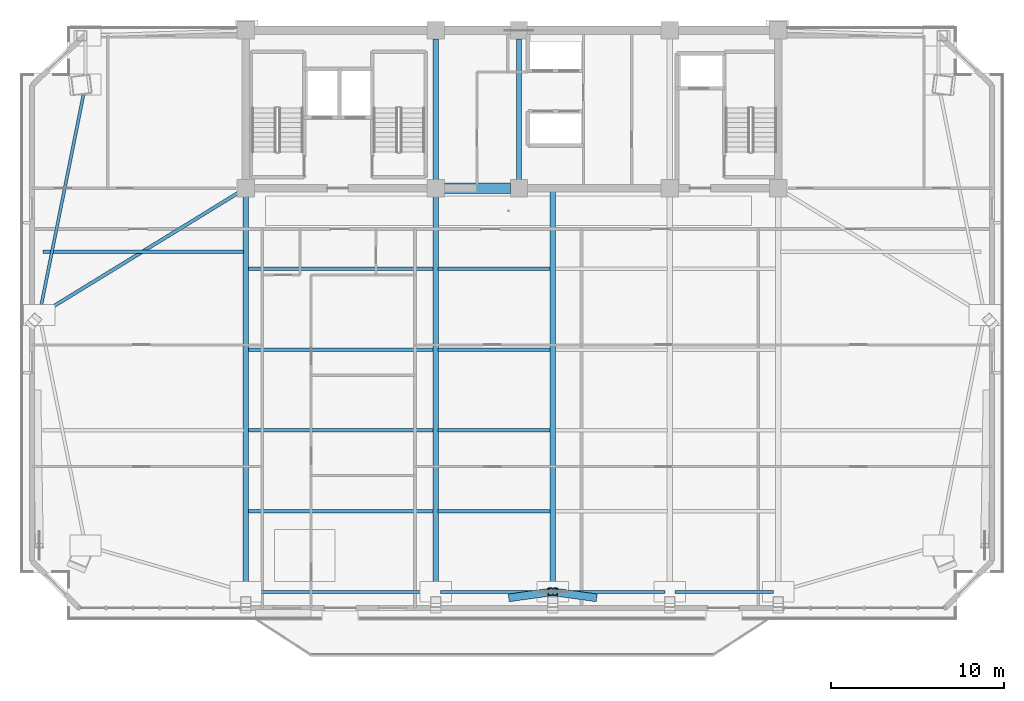
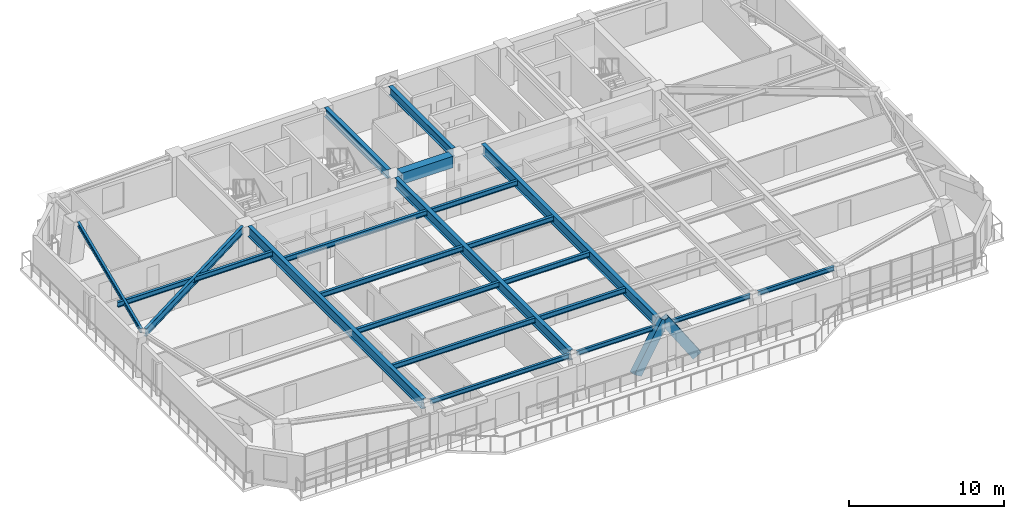
# One storey, part 3 of 16: 21 beams, 2 members.
"""IFC4 building model written with IfcOpenShell, lengths in metres."""

from ifc_helpers import new_model, si_unit, direction, frame, origin, origin_2d, place, context, subcontext, project, spatial, rectangle, hollow_rectangle, i_section, extrude, source, transform, mapped, material, material_profile, profile_set, type_object, element, save


model = new_model("IFC4")

# Units and contexts
model_context = context("Model", 3, precision=1e-05, world=origin(), true_north=direction((0.0, 1.0)))
body_context = subcontext(model_context, "Body", "Model", "MODEL_VIEW")
ifc_project = project(units=[si_unit("LENGTHUNIT", "METRE"), si_unit("AREAUNIT", "SQUARE_METRE"), si_unit("VOLUMEUNIT", "CUBIC_METRE"), si_unit("PLANEANGLEUNIT", "RADIAN"), si_unit("MASSUNIT", "GRAM", prefix="KILO")], contexts=[model_context])

# Site, building, storey
site_placement = place(None, origin())
site = spatial("IfcSite", under=ifc_project, at=site_placement, CompositionType="ELEMENT")
building_placement = place(site_placement, origin())
building = spatial("IfcBuilding", under=site, at=building_placement, Name="Giltprow Tower", CompositionType="ELEMENT")
storey_placement = place(building_placement, frame((0.0, 0.0, 233.800048828125)))
storey = spatial("IfcBuildingStorey", under=building, at=storey_placement, Name="L59", CompositionType="ELEMENT", Elevation=233.800048828125)

# Beams
ifc_material_1 = material(Name="Concrete C50", Category="concrete")
ifc_material_profile_1 = material_profile(ifc_material_1, rectangle(XDim=0.60009765625, YDim=0.89990234375, at=origin_2d()), Name="RC 900x600")
ifc_profile_set_1 = profile_set([ifc_material_profile_1], Name="Concrete C50")
beam_type_1 = type_object("IfcBeamType", Name="BM-CPL-RC900", PredefinedType="LINTEL", material=ifc_profile_set_1)
shared_shape_1 = source(origin(), body_context, "Body", "SweptSolid", [
    extrude(rectangle(XDim=0.60009765625, YDim=0.89990234375, at=origin_2d()), origin(), (0.0, 0.0, 1.0), 3.830078125),
])
beam_1_placement = place(storey_placement, frame((31.284912109375, 37.449951171875, 2.669921875), z_axis=(1.0, 0.0, 0.0), x_axis=(0.0, 1.0, 0.0)))
element("IfcBeam", 1, at=beam_1_placement, inside=storey, type_object=beam_type_1, Name="L59 Core Coupling Beam CB-1", PredefinedType="LINTEL", context=body_context, shape_type="MappedRepresentation", body=[
    mapped(shared_shape_1, transform((0.0, 0.0, 0.0), x_axis=(1.0, 0.0, 0.0), y_axis=(0.0, 1.0, 0.0), z_axis=(0.0, 0.0, 1.0), scale=1.0)),
])
ifc_material_2 = material(Name="Structural steel Q355B", Category="steel")
ifc_material_profile_2 = material_profile(ifc_material_2, i_section(OverallWidth=0.300048828125, OverallDepth=0.699951171875, WebThickness=0.012939453125, FlangeThickness=0.02392578125, at=origin_2d()), Name="HN 700x300x13x24")
ifc_profile_set_2 = profile_set([ifc_material_profile_2], Name="Structural steel Q355B")
beam_type_2 = type_object("IfcBeamType", Name="BM-GIRD-HN700", PredefinedType="BEAM", material=ifc_profile_set_2)
shared_shape_2 = source(origin(), body_context, "Body", "SweptSolid", [
    extrude(i_section(OverallWidth=0.300048828125, OverallDepth=0.699951171875, WebThickness=0.012939453125, FlangeThickness=0.02392578125, at=origin_2d()), origin(), (0.0, 0.0, 1.0), 8.1298828125),
])
for number, where, z_axis, x_axis, name in (
    (2, (30.800048828125, 37.93505859375, 2.77001953125), (0.0, 1.0, 0.0), (-1.0, 0.0, 0.0), "L59 Core Tie Girder M1"),
    (3, (35.60009765625, 37.93505859375, 2.77001953125), (0.0, 1.0, 0.0), (-1.0, 0.0, 0.0), "L59 Core Tie Girder M2"),
):
    element("IfcBeam", number, at=place(storey_placement, frame(where, z_axis=z_axis, x_axis=x_axis)), inside=storey, type_object=beam_type_2, Name=name, PredefinedType="BEAM", context=body_context, shape_type="MappedRepresentation", body=[
        mapped(shared_shape_2, transform((0.0, 0.0, 0.0), x_axis=(1.0, 0.0, 0.0), y_axis=(0.0, 1.0, 0.0), z_axis=(0.0, 0.0, 1.0), scale=1.0)),
    ])
ifc_material_profile_3 = material_profile(ifc_material_2, i_section(OverallWidth=0.199951171875, OverallDepth=0.39990234375, WebThickness=0.008056640625, FlangeThickness=0.012939453125, at=origin_2d()), Name="HN 400x200x8x13")
ifc_profile_set_3 = profile_set([ifc_material_profile_3], Name="Structural steel Q355B")
beam_type_3 = type_object("IfcBeamType", Name="BM-JOIST-HN400", PredefinedType="JOIST", material=ifc_profile_set_3)
shared_shape_3 = source(origin(), body_context, "Body", "SweptSolid", [
    extrude(i_section(OverallWidth=0.199951171875, OverallDepth=0.39990234375, WebThickness=0.008056640625, FlangeThickness=0.012939453125, at=origin_2d()), origin(), (0.0, 0.0, 1.0), 10.659912109375),
])
for number, where, z_axis, x_axis, name in (
    (4, (19.9951171875, 18.8359375, 2.919921875), (1.0, 0.0, 0.0), (0.0, 1.0, 0.0), "L59 Composite Floor Joist 1-1"),
    (5, (19.9951171875, 23.489013671875, 2.919921875), (1.0, 0.0, 0.0), (0.0, 1.0, 0.0), "L59 Composite Floor Joist 2-1"),
    (6, (19.9951171875, 28.14306640625, 2.919921875), (1.0, 0.0, 0.0), (0.0, 1.0, 0.0), "L59 Composite Floor Joist 3-1"),
    (7, (19.9951171875, 32.7958984375, 2.919921875), (1.0, 0.0, 0.0), (0.0, 1.0, 0.0), "L59 Composite Floor Joist 4-1"),
):
    element("IfcBeam", number, at=place(storey_placement, frame(where, z_axis=z_axis, x_axis=x_axis)), inside=storey, type_object=beam_type_3, Name=name, PredefinedType="JOIST", context=body_context, shape_type="MappedRepresentation", body=[
        mapped(shared_shape_3, transform((0.0, 0.0, 0.0), x_axis=(1.0, 0.0, 0.0), y_axis=(0.0, 1.0, 0.0), z_axis=(0.0, 0.0, 1.0), scale=1.0)),
    ])
shared_shape_4 = source(origin(), body_context, "Body", "SweptSolid", [
    extrude(i_section(OverallWidth=0.199951171875, OverallDepth=0.39990234375, WebThickness=0.008056640625, FlangeThickness=0.012939453125, at=origin_2d()), origin(), (0.0, 0.0, 1.0), 6.4599609375),
])
for number, where, z_axis, x_axis, name in (
    (8, (30.945068359375, 18.8359375, 2.919921875), (1.0, 0.0, 0.0), (0.0, 1.0, 0.0), "L59 Composite Floor Joist 1-2"),
    (9, (30.945068359375, 23.489013671875, 2.919921875), (1.0, 0.0, 0.0), (0.0, 1.0, 0.0), "L59 Composite Floor Joist 2-2"),
    (10, (30.945068359375, 28.14306640625, 2.919921875), (1.0, 0.0, 0.0), (0.0, 1.0, 0.0), "L59 Composite Floor Joist 3-2"),
    (11, (30.945068359375, 32.7958984375, 2.919921875), (1.0, 0.0, 0.0), (0.0, 1.0, 0.0), "L59 Composite Floor Joist 4-2"),
):
    element("IfcBeam", number, at=place(storey_placement, frame(where, z_axis=z_axis, x_axis=x_axis)), inside=storey, type_object=beam_type_3, Name=name, PredefinedType="JOIST", context=body_context, shape_type="MappedRepresentation", body=[
        mapped(shared_shape_4, transform((0.0, 0.0, 0.0), x_axis=(1.0, 0.0, 0.0), y_axis=(0.0, 1.0, 0.0), z_axis=(0.0, 0.0, 1.0), scale=1.0)),
    ])
ifc_material_profile_4 = material_profile(ifc_material_2, i_section(OverallWidth=0.175048828125, OverallDepth=0.35009765625, WebThickness=0.007080078125, FlangeThickness=0.010986328125, at=origin_2d()), Name="HN 350x175x7x11")
ifc_profile_set_4 = profile_set([ifc_material_profile_4], Name="Structural steel Q355B")
beam_type_4 = type_object("IfcBeamType", Name="BM-SPAN-HN350", PredefinedType="SPANDREL", material=ifc_profile_set_4)
shared_shape_5 = source(origin(), body_context, "Body", "SweptSolid", [
    extrude(i_section(OverallWidth=0.175048828125, OverallDepth=0.35009765625, WebThickness=0.007080078125, FlangeThickness=0.010986328125, at=origin_2d()), origin(), (0.0, 0.0, 1.0), 10.3798828125),
])
beam_2_placement = place(storey_placement, frame((20.135009765625, 14.181884765625, 2.945068359375), z_axis=(1.0, 0.0, 0.0), x_axis=(0.0, 1.0, 0.0)))
element("IfcBeam", 12, at=beam_2_placement, inside=storey, type_object=beam_type_4, Name="L59 Perimeter Spandrel Beam S1-S2", PredefinedType="SPANDREL", context=body_context, shape_type="MappedRepresentation", body=[
    mapped(shared_shape_5, transform((0.0, 0.0, 0.0), x_axis=(1.0, 0.0, 0.0), y_axis=(0.0, 1.0, 0.0), z_axis=(0.0, 0.0, 1.0), scale=1.0)),
])
shared_shape_6 = source(origin(), body_context, "Body", "SweptSolid", [
    extrude(i_section(OverallWidth=0.175048828125, OverallDepth=0.35009765625, WebThickness=0.007080078125, FlangeThickness=0.010986328125, at=origin_2d()), origin(), (0.0, 0.0, 1.0), 6.179931640625),
])
for number, where, z_axis, x_axis, name in (
    (13, (31.0849609375, 14.181884765625, 2.945068359375), (1.0, 0.0, 0.0), (0.0, 1.0, 0.0), "L59 Perimeter Spandrel Beam S2-S_MID"),
    (14, (37.8349609375, 14.181884765625, 2.945068359375), (1.0, 0.0, 0.0), (0.0, 1.0, 0.0), "L59 Perimeter Spandrel Beam S_MID-S3"),
):
    element("IfcBeam", number, at=place(storey_placement, frame(where, z_axis=z_axis, x_axis=x_axis)), inside=storey, type_object=beam_type_4, Name=name, PredefinedType="SPANDREL", context=body_context, shape_type="MappedRepresentation", body=[
        mapped(shared_shape_6, transform((0.0, 0.0, 0.0), x_axis=(1.0, 0.0, 0.0), y_axis=(0.0, 1.0, 0.0), z_axis=(0.0, 0.0, 1.0), scale=1.0)),
    ])
shared_shape_7 = source(origin(), body_context, "Body", "SweptSolid", [
    extrude(i_section(OverallWidth=0.175048828125, OverallDepth=0.35009765625, WebThickness=0.007080078125, FlangeThickness=0.010986328125, at=origin_2d()), origin(), (0.0, 0.0, 1.0), 5.679931640625),
])
beam_3_placement = place(storey_placement, frame((44.5849609375, 14.181884765625, 2.945068359375), z_axis=(1.0, 0.0, 0.0), x_axis=(0.0, 1.0, 0.0)))
element("IfcBeam", 15, at=beam_3_placement, inside=storey, type_object=beam_type_4, Name="L59 Perimeter Spandrel Beam S3-S4", PredefinedType="SPANDREL", context=body_context, shape_type="MappedRepresentation", body=[
    mapped(shared_shape_7, transform((0.0, 0.0, 0.0), x_axis=(1.0, 0.0, 0.0), y_axis=(0.0, 1.0, 0.0), z_axis=(0.0, 0.0, 1.0), scale=1.0)),
])
shared_shape_8 = source(origin(), body_context, "Body", "SweptSolid", [
    extrude(i_section(OverallWidth=0.175048828125, OverallDepth=0.35009765625, WebThickness=0.007080078125, FlangeThickness=0.010986328125, at=origin_2d()), origin(), (0.0, 0.0, 1.0), 12.74169921875),
])
beam_4_placement = place(storey_placement, frame((10.50390625, 42.9140625, 2.945068359375), z_axis=(-0.19620456789, -0.980562984993, 0.0), x_axis=(0.980562984993, -0.19620456789, 0.0)))
element("IfcBeam", 16, at=beam_4_placement, inside=storey, type_object=beam_type_4, Name="L59 Perimeter Spandrel Beam MC_NW-W_MID", PredefinedType="SPANDREL", context=body_context, shape_type="MappedRepresentation", body=[
    mapped(shared_shape_8, transform((0.0, 0.0, 0.0), x_axis=(1.0, 0.0, 0.0), y_axis=(0.0, 1.0, 0.0), z_axis=(0.0, 0.0, 1.0), scale=1.0)),
])
ifc_material_profile_5 = material_profile(ifc_material_2, i_section(OverallWidth=0.300048828125, OverallDepth=0.800048828125, WebThickness=0.013916015625, FlangeThickness=0.02587890625, at=origin_2d()), Name="HN 800x300x14x26")
ifc_profile_set_5 = profile_set([ifc_material_profile_5], Name="Structural steel Q355B")
beam_type_5 = type_object("IfcBeamType", Name="BM-GIRD-HN800", PredefinedType="BEAM", material=ifc_profile_set_5)
shared_shape_9 = source(origin(), body_context, "Body", "SweptSolid", [
    extrude(i_section(OverallWidth=0.300048828125, OverallDepth=0.800048828125, WebThickness=0.013916015625, FlangeThickness=0.02587890625, at=origin_2d()), origin(), (0.0, 0.0, 1.0), 22.498046875),
])
for number, where, z_axis, x_axis, name in (
    (17, (19.85009765625, 14.467041015625, 2.719970703125), (0.0, 1.0, 0.0), (-1.0, 0.0, 0.0), "L59 Primary Lease Girder S1"),
    (18, (30.800048828125, 14.467041015625, 2.719970703125), (0.0, 1.0, 0.0), (-1.0, 0.0, 0.0), "L59 Primary Lease Girder S2"),
):
    element("IfcBeam", number, at=place(storey_placement, frame(where, z_axis=z_axis, x_axis=x_axis)), inside=storey, type_object=beam_type_5, Name=name, PredefinedType="BEAM", context=body_context, shape_type="MappedRepresentation", body=[
        mapped(shared_shape_9, transform((0.0, 0.0, 0.0), x_axis=(1.0, 0.0, 0.0), y_axis=(0.0, 1.0, 0.0), z_axis=(0.0, 0.0, 1.0), scale=1.0)),
    ])
shared_shape_10 = source(origin(), body_context, "Body", "SweptSolid", [
    extrude(i_section(OverallWidth=0.300048828125, OverallDepth=0.800048828125, WebThickness=0.013916015625, FlangeThickness=0.02587890625, at=origin_2d()), origin(), (0.0, 0.0, 1.0), 23.26806640625),
])
beam_5_placement = place(storey_placement, frame((37.550048828125, 14.181884765625, 2.719970703125), z_axis=(0.0, 1.0, 0.0), x_axis=(-1.0, 0.0, 0.0)))
element("IfcBeam", 19, at=beam_5_placement, inside=storey, type_object=beam_type_5, Name="L59 Central Lease Girder SMID", PredefinedType="BEAM", context=body_context, shape_type="MappedRepresentation", body=[
    mapped(shared_shape_10, transform((0.0, 0.0, 0.0), x_axis=(1.0, 0.0, 0.0), y_axis=(0.0, 1.0, 0.0), z_axis=(0.0, 0.0, 1.0), scale=1.0)),
])
ifc_material_profile_6 = material_profile(ifc_material_2, i_section(OverallWidth=0.199951171875, OverallDepth=0.60009765625, WebThickness=0.010986328125, FlangeThickness=0.01708984375, at=origin_2d()), Name="HN 600x200x11x17")
ifc_profile_set_6 = profile_set([ifc_material_profile_6], Name="Structural steel Q355B")
beam_type_6 = type_object("IfcBeamType", Name="BM-GIRD-HN600", PredefinedType="BEAM", material=ifc_profile_set_6)
shared_shape_11 = source(origin(), body_context, "Body", "SweptSolid", [
    extrude(i_section(OverallWidth=0.199951171875, OverallDepth=0.60009765625, WebThickness=0.010986328125, FlangeThickness=0.01708984375, at=origin_2d()), origin(), (0.0, 0.0, 1.0), 13.197265625),
])
beam_6_placement = place(storey_placement, frame((8.19091796875, 30.2900390625, 2.820068359375), z_axis=(0.85215400358, 0.523291079786, 0.0), x_axis=(-0.523291079786, 0.85215400358, 0.0)))
element("IfcBeam", 20, at=beam_6_placement, inside=storey, type_object=beam_type_6, Name="L59 West Wing Primary Girder", PredefinedType="BEAM", context=body_context, shape_type="MappedRepresentation", body=[
    mapped(shared_shape_11, transform((0.0, 0.0, 0.0), x_axis=(1.0, 0.0, 0.0), y_axis=(0.0, 1.0, 0.0), z_axis=(0.0, 0.0, 1.0), scale=1.0)),
])
shared_shape_12 = source(origin(), body_context, "Body", "SweptSolid", [
    extrude(i_section(OverallWidth=0.199951171875, OverallDepth=0.39990234375, WebThickness=0.008056640625, FlangeThickness=0.012939453125, at=origin_2d()), origin(), (0.0, 0.0, 1.0), 11.537109375),
])
beam_7_placement = place(storey_placement, frame((8.16796875, 33.7958984375, 2.919921875), z_axis=(1.0, 0.0, 0.0), x_axis=(0.0, 1.0, 0.0)))
element("IfcBeam", 21, at=beam_7_placement, inside=storey, type_object=beam_type_3, Name="L59 West Wing Floor Joist 2", PredefinedType="JOIST", context=body_context, shape_type="MappedRepresentation", body=[
    mapped(shared_shape_12, transform((0.0, 0.0, 0.0), x_axis=(1.0, 0.0, 0.0), y_axis=(0.0, 1.0, 0.0), z_axis=(0.0, 0.0, 1.0), scale=1.0)),
])

# Members
ifc_material_3 = material(Name="Structural steel Q420GJC", Category="steel")
ifc_material_profile_7 = material_profile(ifc_material_3, hollow_rectangle(XDim=0.449951171875, YDim=0.699951171875, WallThickness=0.031982421875, at=origin_2d()), Name="RHS 700x450x32")
ifc_profile_set_7 = profile_set([ifc_material_profile_7], Name="Structural steel Q420GJC")
member_type = type_object("IfcMemberType", Name="MBR-MEGA-RHS700", PredefinedType="BRACE", material=ifc_profile_set_7)
shared_shape_13 = source(origin(), body_context, "Body", "SweptSolid", [
    extrude(hollow_rectangle(XDim=0.449951171875, YDim=0.699951171875, WallThickness=0.031982421875, at=origin_2d()), origin(), (0.0, 0.0, 1.0), 4.0888671875),
])
for number, where, z_axis, x_axis, name in (
    (22, (35.300048828125, 13.87109375, 0.0), (0.550281372065, 0.07601000289, 0.831512411825), (-0.136830167681, 0.990594521089, 0.0), "L59 Chevron Mega-Brace S-L"),
    (23, (39.800048828125, 13.87109375, 0.0), (-0.550281372065, 0.07601000289, 0.831512411825), (-0.136830167681, -0.990594521089, 0.0), "L59 Chevron Mega-Brace S-R"),
):
    element("IfcMember", number, at=place(storey_placement, frame(where, z_axis=z_axis, x_axis=x_axis)), inside=storey, type_object=member_type, Name=name, PredefinedType="BRACE", context=body_context, shape_type="MappedRepresentation", body=[
        mapped(shared_shape_13, transform((0.0, 0.0, 0.0), x_axis=(1.0, 0.0, 0.0), y_axis=(0.0, 1.0, 0.0), z_axis=(0.0, 0.0, 1.0), scale=1.0)),
    ])

save(model, "model.ifc")
